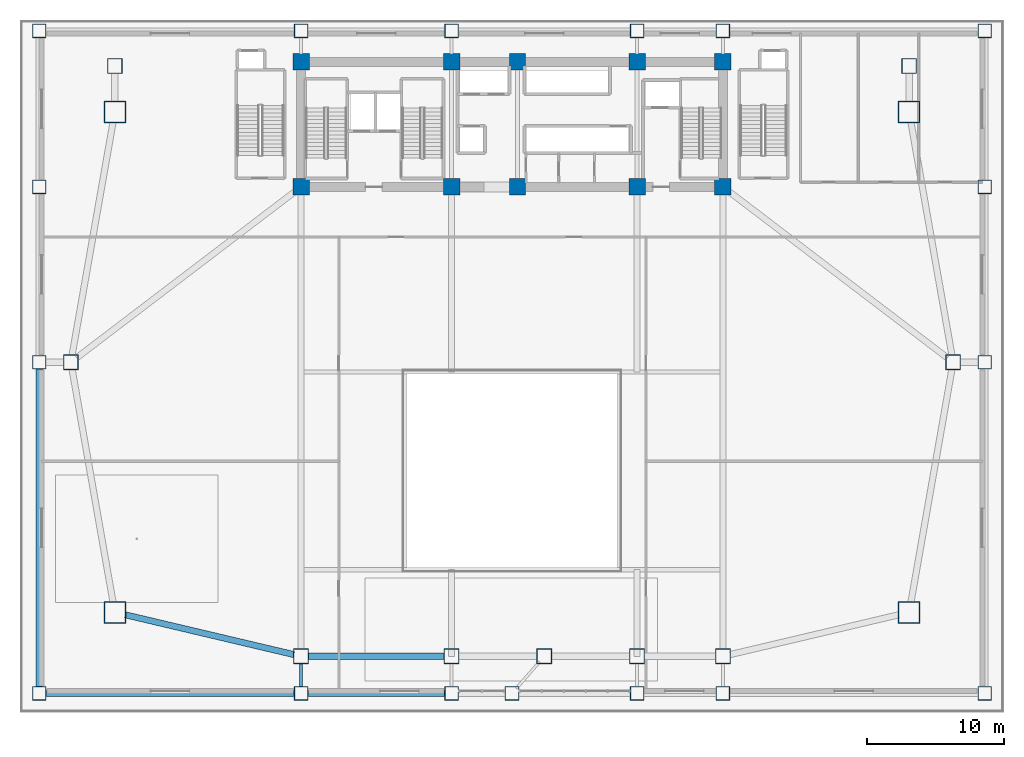
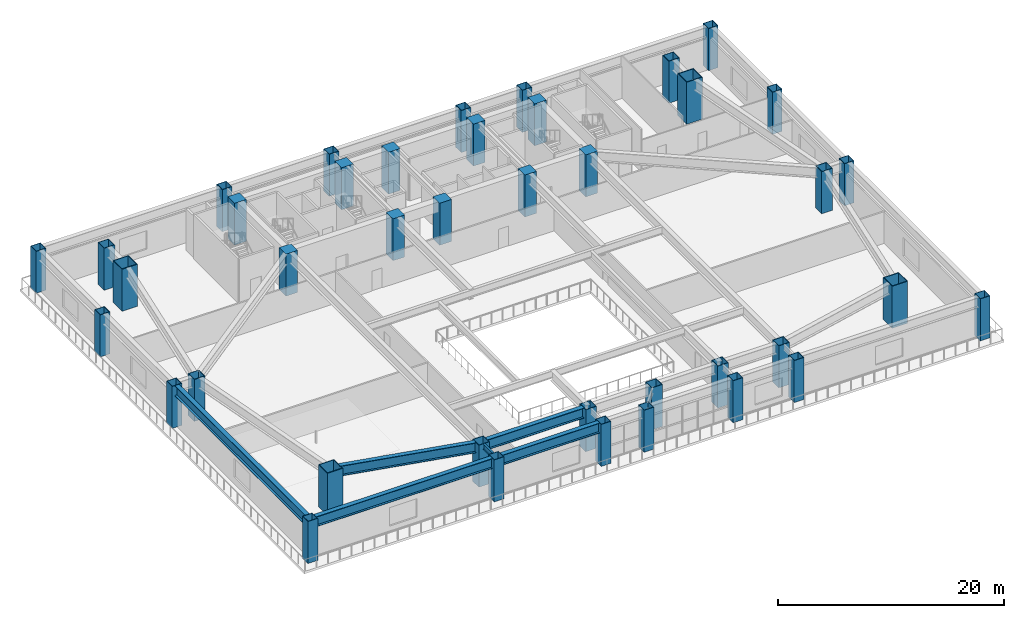
# One storey, part 1 of 14: 40 columns, 6 beams.
"""IFC4 building model written with IfcOpenShell, lengths in metres."""

from ifc_helpers import new_model, si_unit, direction, frame, origin, origin_2d, place, context, subcontext, project, spatial, rectangle, hollow_rectangle, i_section, extrude, source, transform, mapped, material, material_profile, profile_set, type_object, element, save


model = new_model("IFC4")

# Units and contexts
model_context = context("Model", 3, precision=1e-05, world=origin(), true_north=direction((0.0, 1.0)))
body_context = subcontext(model_context, "Body", "Model", "MODEL_VIEW")
ifc_project = project(units=[si_unit("LENGTHUNIT", "METRE"), si_unit("AREAUNIT", "SQUARE_METRE"), si_unit("VOLUMEUNIT", "CUBIC_METRE"), si_unit("PLANEANGLEUNIT", "RADIAN"), si_unit("MASSUNIT", "GRAM", prefix="KILO")], contexts=[model_context])

# Site, building, storey
site_placement = place(None, origin())
site = spatial("IfcSite", under=ifc_project, at=site_placement, CompositionType="ELEMENT")
building_placement = place(site_placement, origin())
building = spatial("IfcBuilding", under=site, at=building_placement, Name="Giltprow Tower", CompositionType="ELEMENT")
storey_placement = place(building_placement, frame((0.0, 0.0, 5.60009765625)))
storey = spatial("IfcBuildingStorey", under=building, at=storey_placement, Name="L02", CompositionType="ELEMENT", Elevation=5.60009765625)

# Columns
ifc_material_1 = material(Name="Concrete C60", Category="concrete")
ifc_material_profile_1 = material_profile(ifc_material_1, rectangle(XDim=1.199951171875, YDim=1.199951171875, at=origin_2d()), Name="RC 1200x1200")
ifc_profile_set_1 = profile_set([ifc_material_profile_1], Name="Concrete C60")
column_type_1 = type_object("IfcColumnType", Name="PIL-RC-1200-C60", PredefinedType="PILASTER", material=ifc_profile_set_1)
shared_shape_1 = source(origin(), body_context, "Body", "SweptSolid", [
    extrude(rectangle(XDim=1.199951171875, YDim=1.199951171875, at=origin_2d()), origin(), (0.0, 0.0, 1.0), 4.539794921875),
])
for number, where, z_axis, x_axis, name in (
    (1, (19.85009765625, 37.449951171875, 0.0), (0.0, 0.0, 1.0), (1.0, 0.0, 0.0), "L02 Core Boundary Pilaster 1-1"),
    (2, (19.85009765625, 46.550048828125, 0.0), (0.0, 0.0, 1.0), (1.0, 0.0, 0.0), "L02 Core Boundary Pilaster 1-2"),
    (3, (30.800048828125, 37.449951171875, 0.0), (0.0, 0.0, 1.0), (1.0, 0.0, 0.0), "L02 Core Boundary Pilaster 2-1"),
    (4, (30.800048828125, 46.550048828125, 0.0), (0.0, 0.0, 1.0), (1.0, 0.0, 0.0), "L02 Core Boundary Pilaster 2-2"),
    (5, (35.60009765625, 37.449951171875, 0.0), (0.0, 0.0, 1.0), (1.0, 0.0, 0.0), "L02 Core Boundary Pilaster 3-1"),
    (6, (35.60009765625, 46.550048828125, 0.0), (0.0, 0.0, 1.0), (1.0, 0.0, 0.0), "L02 Core Boundary Pilaster 3-2"),
    (7, (44.300048828125, 37.449951171875, 0.0), (0.0, 0.0, 1.0), (1.0, 0.0, 0.0), "L02 Core Boundary Pilaster 4-1"),
    (8, (44.300048828125, 46.550048828125, 0.0), (0.0, 0.0, 1.0), (1.0, 0.0, 0.0), "L02 Core Boundary Pilaster 4-2"),
    (9, (50.550048828125, 37.449951171875, 0.0), (0.0, 0.0, 1.0), (1.0, 0.0, 0.0), "L02 Core Boundary Pilaster 5-1"),
    (10, (50.550048828125, 46.550048828125, 0.0), (0.0, 0.0, 1.0), (1.0, 0.0, 0.0), "L02 Core Boundary Pilaster 5-2"),
):
    element("IfcColumn", number, at=place(storey_placement, frame(where, z_axis=z_axis, x_axis=x_axis)), inside=storey, type_object=column_type_1, Name=name, PredefinedType="PILASTER", context=body_context, shape_type="MappedRepresentation", body=[
        mapped(shared_shape_1, transform((0.0, 0.0, 0.0), x_axis=(1.0, 0.0, 0.0), y_axis=(0.0, 1.0, 0.0), z_axis=(0.0, 0.0, 1.0), scale=1.0)),
    ])
ifc_material_2 = material(Name="Structural steel Q420GJC", Category="steel")
ifc_material_profile_2 = material_profile(ifc_material_2, hollow_rectangle(XDim=1.60009765625, YDim=1.60009765625, WallThickness=0.074951171875, at=origin_2d()), Name="BOX 1600x1600x75")
ifc_profile_set_2 = profile_set([ifc_material_profile_2], Name="Structural steel Q420GJC")
column_type_2 = type_object("IfcColumnType", Name="COL-BOX-1600x1600x75", PredefinedType="COLUMN", material=ifc_profile_set_2)
shared_shape_2 = source(origin(), body_context, "Body", "SweptSolid", [
    extrude(hollow_rectangle(XDim=1.60009765625, YDim=1.60009765625, WallThickness=0.074951171875, at=origin_2d()), origin(), (0.0, 0.0, 1.0), 4.539794921875),
])
for number, where, z_axis, x_axis, name in (
    (11, (6.300048828125, 6.5, 0.0), (0.0, 0.0, 1.0), (1.0, 0.0, 0.0), "L02 Continuous Tower Column MC_SW"),
    (12, (64.10009765625, 6.5, 0.0), (0.0, 0.0, 1.0), (1.0, 0.0, 0.0), "L02 Continuous Tower Column MC_SE"),
    (13, (6.300048828125, 42.89990234375, 0.0), (0.0, 0.0, 1.0), (1.0, 0.0, 0.0), "L02 Continuous Tower Column MC_NW"),
    (14, (64.10009765625, 42.89990234375, 0.0), (0.0, 0.0, 1.0), (1.0, 0.0, 0.0), "L02 Continuous Tower Column MC_NE"),
):
    element("IfcColumn", number, at=place(storey_placement, frame(where, z_axis=z_axis, x_axis=x_axis)), inside=storey, type_object=column_type_2, Name=name, PredefinedType="COLUMN", context=body_context, shape_type="MappedRepresentation", body=[
        mapped(shared_shape_2, transform((0.0, 0.0, 0.0), x_axis=(1.0, 0.0, 0.0), y_axis=(0.0, 1.0, 0.0), z_axis=(0.0, 0.0, 1.0), scale=1.0)),
    ])
ifc_material_profile_3 = material_profile(ifc_material_2, hollow_rectangle(XDim=1.10009765625, YDim=1.10009765625, WallThickness=0.050048828125, at=origin_2d()), Name="BOX 1100x1100x50")
ifc_profile_set_3 = profile_set([ifc_material_profile_3], Name="Structural steel Q420GJC")
column_type_3 = type_object("IfcColumnType", Name="COL-BOX-1100x1100x50", PredefinedType="COLUMN", material=ifc_profile_set_3)
shared_shape_3 = source(origin(), body_context, "Body", "SweptSolid", [
    extrude(hollow_rectangle(XDim=1.10009765625, YDim=1.10009765625, WallThickness=0.050048828125, at=origin_2d()), origin(), (0.0, 0.0, 1.0), 4.539794921875),
])
for number, where, z_axis, x_axis, name in (
    (15, (19.85009765625, 3.300048828125, 0.0), (0.0, 0.0, 1.0), (1.0, 0.0, 0.0), "L02 Continuous Tower Column S1"),
    (16, (30.800048828125, 3.300048828125, 0.0), (0.0, 0.0, 1.0), (1.0, 0.0, 0.0), "L02 Continuous Tower Column S2"),
    (17, (37.550048828125, 3.300048828125, 0.0), (0.0, 0.0, 1.0), (1.0, 0.0, 0.0), "L02 Continuous Tower Column S_MID"),
    (18, (44.300048828125, 3.300048828125, 0.0), (0.0, 0.0, 1.0), (1.0, 0.0, 0.0), "L02 Continuous Tower Column S3"),
    (19, (50.550048828125, 3.300048828125, 0.0), (0.0, 0.0, 1.0), (1.0, 0.0, 0.0), "L02 Continuous Tower Column S4"),
    (20, (3.10009765625, 24.699951171875, 0.0), (0.0, 0.0, 1.0), (1.0, 0.0, 0.0), "L02 Continuous Tower Column W_MID"),
    (21, (67.300048828125, 24.699951171875, 0.0), (0.0, 0.0, 1.0), (1.0, 0.0, 0.0), "L02 Continuous Tower Column E_MID"),
    (22, (6.300048828125, 46.25, 0.0), (0.0, 0.0, 1.0), (1.0, 0.0, 0.0), "L02 Continuous Tower Column N_W"),
    (23, (64.10009765625, 46.25, 0.0), (0.0, 0.0, 1.0), (1.0, 0.0, 0.0), "L02 Continuous Tower Column N_E"),
):
    element("IfcColumn", number, at=place(storey_placement, frame(where, z_axis=z_axis, x_axis=x_axis)), inside=storey, type_object=column_type_3, Name=name, PredefinedType="COLUMN", context=body_context, shape_type="MappedRepresentation", body=[
        mapped(shared_shape_3, transform((0.0, 0.0, 0.0), x_axis=(1.0, 0.0, 0.0), y_axis=(0.0, 1.0, 0.0), z_axis=(0.0, 0.0, 1.0), scale=1.0)),
    ])
ifc_material_profile_4 = material_profile(ifc_material_2, hollow_rectangle(XDim=1.0, YDim=1.0, WallThickness=0.044921875, at=origin_2d()), Name="BOX 1000x1000x45")
ifc_profile_set_4 = profile_set([ifc_material_profile_4], Name="Structural steel Q420GJC")
column_type_4 = type_object("IfcColumnType", Name="COL-BOX-1000x1000x45", PredefinedType="COLUMN", material=ifc_profile_set_4)
shared_shape_4 = source(origin(), body_context, "Body", "SweptSolid", [
    extrude(hollow_rectangle(XDim=1.0, YDim=1.0, WallThickness=0.044921875, at=origin_2d()), origin(), (0.0, 0.0, 1.0), 4.539794921875),
])
for number, where, z_axis, x_axis, name in (
    (24, (0.800048828125, 0.60009765625, 0.0), (0.0, 0.0, 1.0), (1.0, 0.0, 0.0), "L02 Podium Column (0.8,0.6)"),
    (25, (19.85009765625, 0.60009765625, 0.0), (0.0, 0.0, 1.0), (1.0, 0.0, 0.0), "L02 Podium Column (19.9,0.6)"),
    (26, (30.800048828125, 0.60009765625, 0.0), (0.0, 0.0, 1.0), (1.0, 0.0, 0.0), "L02 Podium Column (30.8,0.6)"),
    (27, (35.199951171875, 0.60009765625, 0.0), (0.0, 0.0, 1.0), (1.0, 0.0, 0.0), "L02 Podium Column (35.2,0.6)"),
    (28, (44.300048828125, 0.60009765625, 0.0), (0.0, 0.0, 1.0), (1.0, 0.0, 0.0), "L02 Podium Column (44.3,0.6)"),
    (29, (50.550048828125, 0.60009765625, 0.0), (0.0, 0.0, 1.0), (1.0, 0.0, 0.0), "L02 Podium Column (50.5,0.6)"),
    (30, (69.60009765625, 0.60009765625, 0.0), (0.0, 0.0, 1.0), (1.0, 0.0, 0.0), "L02 Podium Column (69.6,0.6)"),
    (31, (0.800048828125, 24.699951171875, 0.0), (0.0, 0.0, 1.0), (1.0, 0.0, 0.0), "L02 Podium Column (0.8,24.7)"),
    (32, (69.60009765625, 24.699951171875, 0.0), (0.0, 0.0, 1.0), (1.0, 0.0, 0.0), "L02 Podium Column (69.6,24.7)"),
    (33, (0.800048828125, 37.449951171875, 0.0), (0.0, 0.0, 1.0), (1.0, 0.0, 0.0), "L02 Podium Column (0.8,37.5)"),
    (34, (69.60009765625, 37.449951171875, 0.0), (0.0, 0.0, 1.0), (1.0, 0.0, 0.0), "L02 Podium Column (69.6,37.5)"),
    (35, (0.800048828125, 48.800048828125, 0.0), (0.0, 0.0, 1.0), (1.0, 0.0, 0.0), "L02 Podium Column (0.8,48.8)"),
    (36, (19.85009765625, 48.800048828125, 0.0), (0.0, 0.0, 1.0), (1.0, 0.0, 0.0), "L02 Podium Column (19.9,48.8)"),
    (37, (30.800048828125, 48.800048828125, 0.0), (0.0, 0.0, 1.0), (1.0, 0.0, 0.0), "L02 Podium Column (30.8,48.8)"),
    (38, (44.300048828125, 48.800048828125, 0.0), (0.0, 0.0, 1.0), (1.0, 0.0, 0.0), "L02 Podium Column (44.3,48.8)"),
    (39, (50.550048828125, 48.800048828125, 0.0), (0.0, 0.0, 1.0), (1.0, 0.0, 0.0), "L02 Podium Column (50.5,48.8)"),
    (40, (69.60009765625, 48.800048828125, 0.0), (0.0, 0.0, 1.0), (1.0, 0.0, 0.0), "L02 Podium Column (69.6,48.8)"),
):
    element("IfcColumn", number, at=place(storey_placement, frame(where, z_axis=z_axis, x_axis=x_axis)), inside=storey, type_object=column_type_4, Name=name, PredefinedType="COLUMN", context=body_context, shape_type="MappedRepresentation", body=[
        mapped(shared_shape_4, transform((0.0, 0.0, 0.0), x_axis=(1.0, 0.0, 0.0), y_axis=(0.0, 1.0, 0.0), z_axis=(0.0, 0.0, 1.0), scale=1.0)),
    ])

# Beams
ifc_material_profile_5 = material_profile(ifc_material_2, i_section(OverallWidth=0.449951171875, OverallDepth=1.10009765625, WebThickness=0.02587890625, FlangeThickness=0.0419921875, at=origin_2d()), Name="WH 1100x450x26x42")
ifc_profile_set_5 = profile_set([ifc_material_profile_5], Name="Structural steel Q420GJC")
beam_type_1 = type_object("IfcBeamType", Name="BM-GIRD-WH1100", PredefinedType="BEAM", material=ifc_profile_set_5)
shared_shape_5 = source(origin(), body_context, "Body", "SweptSolid", [
    extrude(i_section(OverallWidth=0.449951171875, OverallDepth=1.10009765625, WebThickness=0.02587890625, FlangeThickness=0.0419921875, at=origin_2d()), origin(), (0.0, 0.0, 1.0), 12.6025390625),
])
beam_1_placement = place(storey_placement, frame((7.06396484375, 6.320068359375, 3.989990234375), z_axis=(0.973221185684, -0.22987066741, 0.0), x_axis=(0.22987066741, 0.973221185684, 0.0)))
element("IfcBeam", 41, at=beam_1_placement, inside=storey, type_object=beam_type_1, Name="L02 Tower Base Ring Girder 1", PredefinedType="BEAM", context=body_context, shape_type="MappedRepresentation", body=[
    mapped(shared_shape_5, transform((0.0, 0.0, 0.0), x_axis=(1.0, 0.0, 0.0), y_axis=(0.0, 1.0, 0.0), z_axis=(0.0, 0.0, 1.0), scale=1.0)),
])
shared_shape_6 = source(origin(), body_context, "Body", "SweptSolid", [
    extrude(i_section(OverallWidth=0.449951171875, OverallDepth=1.10009765625, WebThickness=0.02587890625, FlangeThickness=0.0419921875, at=origin_2d()), origin(), (0.0, 0.0, 1.0), 9.8798828125),
])
beam_2_placement = place(storey_placement, frame((20.385009765625, 3.300048828125, 3.989990234375), z_axis=(1.0, 0.0, 0.0), x_axis=(0.0, 1.0, 0.0)))
element("IfcBeam", 42, at=beam_2_placement, inside=storey, type_object=beam_type_1, Name="L02 Tower Base Ring Girder 2", PredefinedType="BEAM", context=body_context, shape_type="MappedRepresentation", body=[
    mapped(shared_shape_6, transform((0.0, 0.0, 0.0), x_axis=(1.0, 0.0, 0.0), y_axis=(0.0, 1.0, 0.0), z_axis=(0.0, 0.0, 1.0), scale=1.0)),
])
shared_shape_7 = source(origin(), body_context, "Body", "SweptSolid", [
    extrude(i_section(OverallWidth=0.449951171875, OverallDepth=1.10009765625, WebThickness=0.02587890625, FlangeThickness=0.0419921875, at=origin_2d()), origin(), (0.0, 0.0, 1.0), 18.080078125),
])
beam_3_placement = place(storey_placement, frame((1.284912109375, 0.60009765625, 3.989990234375), z_axis=(1.0, 0.0, 0.0), x_axis=(0.0, 1.0, 0.0)))
element("IfcBeam", 43, at=beam_3_placement, inside=storey, type_object=beam_type_1, Name="L02 Podium South Edge Girder", PredefinedType="BEAM", context=body_context, shape_type="MappedRepresentation", body=[
    mapped(shared_shape_7, transform((0.0, 0.0, 0.0), x_axis=(1.0, 0.0, 0.0), y_axis=(0.0, 1.0, 0.0), z_axis=(0.0, 0.0, 1.0), scale=1.0)),
])
shared_shape_8 = source(origin(), body_context, "Body", "SweptSolid", [
    extrude(i_section(OverallWidth=0.449951171875, OverallDepth=1.10009765625, WebThickness=0.02587890625, FlangeThickness=0.0419921875, at=origin_2d()), origin(), (0.0, 0.0, 1.0), 9.97998046875),
])
beam_4_placement = place(storey_placement, frame((20.3349609375, 0.60009765625, 3.989990234375), z_axis=(1.0, 0.0, 0.0), x_axis=(0.0, 1.0, 0.0)))
element("IfcBeam", 44, at=beam_4_placement, inside=storey, type_object=beam_type_1, Name="L02 Podium South Edge Girder", PredefinedType="BEAM", context=body_context, shape_type="MappedRepresentation", body=[
    mapped(shared_shape_8, transform((0.0, 0.0, 0.0), x_axis=(1.0, 0.0, 0.0), y_axis=(0.0, 1.0, 0.0), z_axis=(0.0, 0.0, 1.0), scale=1.0)),
])
shared_shape_9 = source(origin(), body_context, "Body", "SweptSolid", [
    extrude(i_section(OverallWidth=0.449951171875, OverallDepth=1.10009765625, WebThickness=0.02587890625, FlangeThickness=0.0419921875, at=origin_2d()), origin(), (0.0, 0.0, 1.0), 23.130126953125),
])
beam_5_placement = place(storey_placement, frame((0.800048828125, 1.0849609375, 3.989990234375), z_axis=(0.0, 1.0, 0.0), x_axis=(-1.0, 0.0, 0.0)))
element("IfcBeam", 45, at=beam_5_placement, inside=storey, type_object=beam_type_1, Name="L02 Podium Side Girder", PredefinedType="BEAM", context=body_context, shape_type="MappedRepresentation", body=[
    mapped(shared_shape_9, transform((0.0, 0.0, 0.0), x_axis=(1.0, 0.0, 0.0), y_axis=(0.0, 1.0, 0.0), z_axis=(0.0, 0.0, 1.0), scale=1.0)),
])
ifc_material_3 = material(Name="Structural steel Q355B", Category="steel")
ifc_material_profile_6 = material_profile(ifc_material_3, i_section(OverallWidth=0.199951171875, OverallDepth=0.60009765625, WebThickness=0.010986328125, FlangeThickness=0.01708984375, at=origin_2d()), Name="HN 600x200x11x17")
ifc_profile_set_6 = profile_set([ifc_material_profile_6], Name="Structural steel Q355B")
beam_type_2 = type_object("IfcBeamType", Name="BM-GIRD-HN600", PredefinedType="BEAM", material=ifc_profile_set_6)
shared_shape_10 = source(origin(), body_context, "Body", "SweptSolid", [
    extrude(i_section(OverallWidth=0.199951171875, OverallDepth=0.60009765625, WebThickness=0.010986328125, FlangeThickness=0.01708984375, at=origin_2d()), origin(), (0.0, 0.0, 1.0), 1.679931640625),
])
beam_6_placement = place(storey_placement, frame((19.85009765625, 1.0849609375, 4.239990234375), z_axis=(0.0, 1.0, 0.0), x_axis=(-1.0, 0.0, 0.0)))
element("IfcBeam", 46, at=beam_6_placement, inside=storey, type_object=beam_type_2, Name="L02 South Perimeter Tie S1", PredefinedType="BEAM", context=body_context, shape_type="MappedRepresentation", body=[
    mapped(shared_shape_10, transform((0.0, 0.0, 0.0), x_axis=(1.0, 0.0, 0.0), y_axis=(0.0, 1.0, 0.0), z_axis=(0.0, 0.0, 1.0), scale=1.0)),
])

save(model, "model.ifc")
